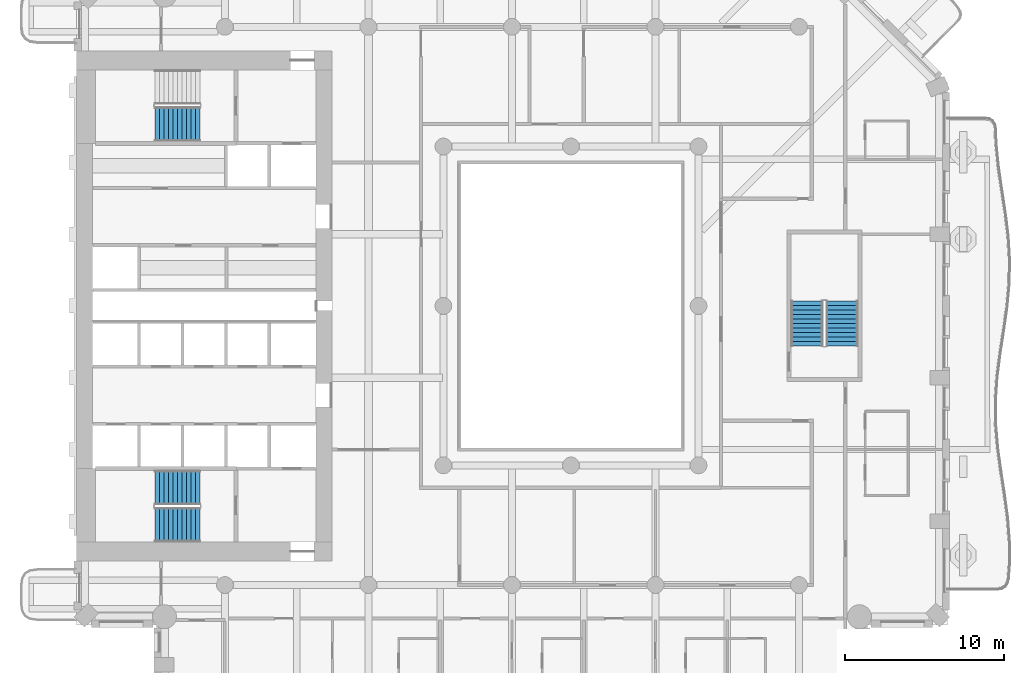
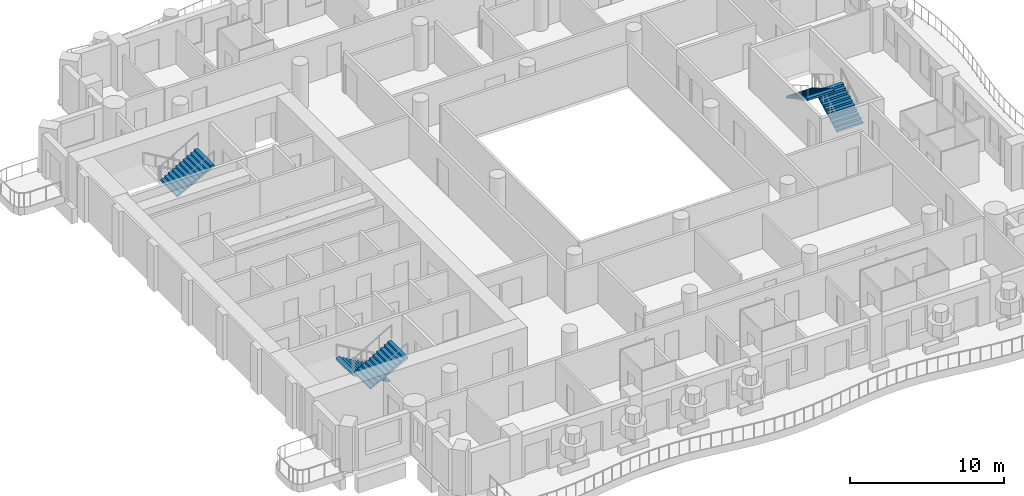
# One storey, part 10 of 19: 5 stair flights, 3 elements without a shape of their own.
"""IFC4 building model written with IfcOpenShell, lengths in metres."""

from ifc_helpers import new_model, si_unit, direction, frame, origin, place, context, subcontext, project, spatial, triangles, material, type_object, element, aggregate, save


model = new_model("IFC4")

# Units and contexts
model_context = context("Model", 3, precision=1e-05, world=origin(), true_north=direction((0.0, 1.0)))
body_context = subcontext(model_context, "Body", "Model", "MODEL_VIEW")
ifc_project = project(units=[si_unit("LENGTHUNIT", "METRE"), si_unit("AREAUNIT", "SQUARE_METRE"), si_unit("VOLUMEUNIT", "CUBIC_METRE"), si_unit("PLANEANGLEUNIT", "RADIAN"), si_unit("MASSUNIT", "GRAM", prefix="KILO")], contexts=[model_context])

# Site, building, storey
site_placement = place(None, origin())
site = spatial("IfcSite", under=ifc_project, at=site_placement, CompositionType="ELEMENT")
building_placement = place(site_placement, origin())
building = spatial("IfcBuilding", under=site, at=building_placement, Name="Cypress Arch Tower", CompositionType="ELEMENT")
storey_placement = place(building_placement, frame((0.0, 0.0, 138.300048828125)))
storey = spatial("IfcBuildingStorey", under=building, at=storey_placement, Name="L30", CompositionType="ELEMENT", Elevation=138.300048828125)

# Stair, stair flights
ifc_material_1 = material(Name="Concrete C40/50", Category="concrete")
stair_type_1 = type_object("IfcStairType", Name="Exit stair ES1636-200", PredefinedType="HALF_TURN_STAIR", material=ifc_material_1)
stair_1_placement = place(storey_placement, origin())
stair_1 = element("IfcStair", 1, at=stair_1_placement, inside=storey, type_object=stair_type_1, Name="L30 Exit stair C", PredefinedType="HALF_TURN_STAIR")
ifc_material_2 = material(Name="Concrete C40/50", Category="concrete")
stair_flight_type_1 = type_object("IfcStairFlightType", Name="Exit stair flight ES1636-200", PredefinedType="STRAIGHT", material=ifc_material_2)
stair_flight_1_placement = place(storey_placement, frame((18.0, -2.5, 0.0), z_axis=(0.0, 0.0, 1.0), x_axis=(0.0, 1.0, 0.0)))
stair_flight_1 = element("IfcStairFlight", 2, at=stair_flight_1_placement, type_object=stair_flight_type_1, Name="C flight 1", NumberOfRisers=11, NumberOfTreads=10, PredefinedType="STRAIGHT", RiserHeight=0.163636364, TreadLength=0.28, context=body_context, shape_type="Tessellation", body=[
    triangles([(0.0, -1.0, 0.0), (0.00048828125, -1.0, 0.054443359375), (0.00048828125, -1.0, 0.109130859375), (0.0, -1.0, 0.16357421875), (0.280029296875, -1.0, 0.16357421875), (0.280029296875, -1.0, 0.327392578125), (0.56005859375, -1.0, 0.327392578125), (0.56005859375, -1.0, 0.490966796875), (0.840087890625, -1.0, 0.490966796875), (0.840087890625, -1.0, 0.654541015625), (1.1201171875, -1.0, 0.654541015625), (1.1201171875, -1.0, 0.818115234375), (1.39990234375, -1.0, 0.818115234375), (1.39990234375, -1.0, 0.98193359375), (1.679931640625, -1.0, 0.98193359375), (1.679931640625, -1.0, 1.1455078125), (1.9599609375, -1.0, 1.1455078125), (1.9599609375, -1.0, 1.30908203125), (2.239990234375, -1.0, 1.30908203125), (2.239990234375, -1.0, 1.47265625), (2.52001953125, -1.0, 1.47265625), (2.52001953125, -1.0, 1.636474609375), (2.800048828125, -1.0, 1.636474609375), (2.799560546875, -1.0, 1.57861328125), (2.799560546875, -1.0, 1.5205078125), (2.800048828125, -1.0, 1.462646484375), (2.800048828125, 1.0, 1.462646484375), (2.799560546875, 1.0, 1.5205078125), (2.799560546875, 1.0, 1.57861328125), (2.800048828125, 1.0, 1.636474609375), (2.52001953125, 1.0, 1.636474609375), (2.52001953125, 1.0, 1.47265625), (2.239990234375, 1.0, 1.47265625), (2.239990234375, 1.0, 1.30908203125), (1.9599609375, 1.0, 1.30908203125), (1.9599609375, 1.0, 1.1455078125), (1.679931640625, 1.0, 1.1455078125), (1.679931640625, 1.0, 0.98193359375), (1.39990234375, 1.0, 0.98193359375), (1.39990234375, 1.0, 0.818115234375), (1.1201171875, 1.0, 0.818115234375), (1.1201171875, 1.0, 0.654541015625), (0.840087890625, 1.0, 0.654541015625), (0.840087890625, 1.0, 0.490966796875), (0.56005859375, 1.0, 0.490966796875), (0.56005859375, 1.0, 0.327392578125), (0.280029296875, 1.0, 0.327392578125), (0.280029296875, 1.0, 0.16357421875), (0.0, 1.0, 0.16357421875), (0.00048828125, 1.0, 0.109130859375), (0.00048828125, 1.0, 0.054443359375), (0.0, 1.0, 0.0), (2.799560546875, 0.0, 1.5205078125), (2.800048828125, 0.0, 1.462646484375), (2.799560546875, 0.0, 1.57861328125), (2.800048828125, 0.0, 1.636474609375), (2.52001953125, 0.0, 1.636474609375), (2.52001953125, 0.0, 1.47265625), (2.239990234375, 0.0, 1.47265625), (2.239990234375, 0.0, 1.30908203125), (1.9599609375, 0.0, 1.30908203125), (1.9599609375, 0.0, 1.1455078125), (1.679931640625, 0.0, 1.1455078125), (1.679931640625, 0.0, 0.98193359375), (1.39990234375, 0.0, 0.98193359375), (1.39990234375, 0.0, 0.818115234375), (1.1201171875, 0.0, 0.818115234375), (1.1201171875, 0.0, 0.654541015625), (0.840087890625, 0.0, 0.654541015625), (0.840087890625, 0.0, 0.490966796875), (0.56005859375, 0.0, 0.490966796875), (0.56005859375, 0.0, 0.327392578125), (0.280029296875, 0.0, 0.327392578125), (0.280029296875, 0.0, 0.16357421875), (0.0, 0.0, 0.16357421875), (0.00048828125, 0.0, 0.109130859375), (0.00048828125, 0.0, 0.054443359375), (0.0, 0.0, 0.0)], [[26, 25, 22], [25, 24, 22], [24, 23, 22], [15, 14, 13], [7, 6, 5], [13, 12, 11], [21, 20, 19], [19, 18, 17], [17, 16, 15], [11, 10, 9], [9, 8, 7], [4, 3, 5], [3, 2, 5], [2, 1, 5], [26, 22, 21], [26, 21, 19], [26, 19, 17], [26, 17, 15], [26, 15, 13], [26, 13, 11], [26, 11, 9], [26, 9, 7], [26, 7, 5], [26, 5, 1], [27, 31, 28], [28, 31, 29], [29, 31, 30], [38, 40, 39], [46, 48, 47], [40, 42, 41], [32, 34, 33], [34, 36, 35], [36, 38, 37], [42, 44, 43], [44, 46, 45], [49, 48, 50], [50, 48, 51], [51, 48, 52], [27, 32, 31], [27, 34, 32], [27, 36, 34], [27, 38, 36], [27, 40, 38], [27, 42, 40], [27, 44, 42], [27, 46, 44], [27, 48, 46], [27, 52, 48], [54, 53, 25], [54, 25, 26], [27, 28, 53], [27, 53, 54], [53, 55, 24], [53, 24, 25], [28, 29, 55], [28, 55, 53], [55, 56, 23], [55, 23, 24], [29, 30, 56], [29, 56, 55], [56, 57, 22], [56, 22, 23], [30, 31, 57], [30, 57, 56], [57, 58, 21], [57, 21, 22], [31, 32, 58], [31, 58, 57], [58, 59, 20], [58, 20, 21], [32, 33, 59], [32, 59, 58], [59, 60, 19], [59, 19, 20], [33, 34, 60], [33, 60, 59], [60, 61, 18], [60, 18, 19], [34, 35, 61], [34, 61, 60], [61, 62, 17], [61, 17, 18], [35, 36, 62], [35, 62, 61], [62, 63, 16], [62, 16, 17], [36, 37, 63], [36, 63, 62], [63, 64, 15], [63, 15, 16], [37, 38, 64], [37, 64, 63], [64, 65, 14], [64, 14, 15], [38, 39, 65], [38, 65, 64], [65, 66, 13], [65, 13, 14], [39, 40, 66], [39, 66, 65], [66, 67, 12], [66, 12, 13], [40, 41, 67], [40, 67, 66], [67, 68, 11], [67, 11, 12], [41, 42, 68], [41, 68, 67], [68, 69, 10], [68, 10, 11], [42, 43, 69], [42, 69, 68], [69, 70, 9], [69, 9, 10], [43, 44, 70], [43, 70, 69], [70, 71, 8], [70, 8, 9], [44, 45, 71], [44, 71, 70], [71, 72, 7], [71, 7, 8], [45, 46, 72], [45, 72, 71], [72, 73, 6], [72, 6, 7], [46, 47, 73], [46, 73, 72], [73, 74, 5], [73, 5, 6], [47, 48, 74], [47, 74, 73], [74, 75, 4], [74, 4, 5], [48, 49, 75], [48, 75, 74], [75, 76, 3], [75, 3, 4], [49, 50, 76], [49, 76, 75], [76, 77, 2], [76, 2, 3], [50, 51, 77], [50, 77, 76], [77, 78, 1], [77, 1, 2], [51, 52, 78], [51, 78, 77], [78, 54, 26], [78, 26, 1], [52, 27, 54], [52, 54, 78]], closed=True),
])
stair_flight_2_placement = place(storey_placement, frame((15.800048828125, 0.300048828125, 1.800048828125), z_axis=(0.0, 0.0, 1.0), x_axis=(0.0, -1.0, 0.0)))
stair_flight_2 = element("IfcStairFlight", 3, at=stair_flight_2_placement, type_object=stair_flight_type_1, Name="C flight 2", NumberOfRisers=11, NumberOfTreads=10, PredefinedType="STRAIGHT", RiserHeight=0.163636364, TreadLength=0.28, context=body_context, shape_type="Tessellation", body=[
    triangles([(0.0, -1.0, 0.0), (0.00048828125, -1.0, 0.054443359375), (0.00048828125, -1.0, 0.109130859375), (0.0, -1.0, 0.16357421875), (0.280029296875, -1.0, 0.16357421875), (0.280029296875, -1.0, 0.327392578125), (0.56005859375, -1.0, 0.327392578125), (0.56005859375, -1.0, 0.490966796875), (0.840087890625, -1.0, 0.490966796875), (0.840087890625, -1.0, 0.654541015625), (1.1201171875, -1.0, 0.654541015625), (1.1201171875, -1.0, 0.818115234375), (1.39990234375, -1.0, 0.818115234375), (1.39990234375, -1.0, 0.98193359375), (1.679931640625, -1.0, 0.98193359375), (1.679931640625, -1.0, 1.1455078125), (1.9599609375, -1.0, 1.1455078125), (1.9599609375, -1.0, 1.30908203125), (2.239990234375, -1.0, 1.30908203125), (2.239990234375, -1.0, 1.47265625), (2.52001953125, -1.0, 1.47265625), (2.52001953125, -1.0, 1.636474609375), (2.800048828125, -1.0, 1.636474609375), (2.799560546875, -1.0, 1.57861328125), (2.799560546875, -1.0, 1.5205078125), (2.800048828125, -1.0, 1.462646484375), (2.800048828125, 1.0, 1.462646484375), (2.799560546875, 1.0, 1.5205078125), (2.799560546875, 1.0, 1.57861328125), (2.800048828125, 1.0, 1.636474609375), (2.52001953125, 1.0, 1.636474609375), (2.52001953125, 1.0, 1.47265625), (2.239990234375, 1.0, 1.47265625), (2.239990234375, 1.0, 1.30908203125), (1.9599609375, 1.0, 1.30908203125), (1.9599609375, 1.0, 1.1455078125), (1.679931640625, 1.0, 1.1455078125), (1.679931640625, 1.0, 0.98193359375), (1.39990234375, 1.0, 0.98193359375), (1.39990234375, 1.0, 0.818115234375), (1.1201171875, 1.0, 0.818115234375), (1.1201171875, 1.0, 0.654541015625), (0.840087890625, 1.0, 0.654541015625), (0.840087890625, 1.0, 0.490966796875), (0.56005859375, 1.0, 0.490966796875), (0.56005859375, 1.0, 0.327392578125), (0.280029296875, 1.0, 0.327392578125), (0.280029296875, 1.0, 0.16357421875), (0.0, 1.0, 0.16357421875), (0.00048828125, 1.0, 0.109130859375), (0.00048828125, 1.0, 0.054443359375), (0.0, 1.0, 0.0), (2.799560546875, 0.0, 1.5205078125), (2.800048828125, 0.0, 1.462646484375), (2.799560546875, 0.0, 1.57861328125), (2.800048828125, 0.0, 1.636474609375), (2.52001953125, 0.0, 1.636474609375), (2.52001953125, 0.0, 1.47265625), (2.239990234375, 0.0, 1.47265625), (2.239990234375, 0.0, 1.30908203125), (1.9599609375, 0.0, 1.30908203125), (1.9599609375, 0.0, 1.1455078125), (1.679931640625, 0.0, 1.1455078125), (1.679931640625, 0.0, 0.98193359375), (1.39990234375, 0.0, 0.98193359375), (1.39990234375, 0.0, 0.818115234375), (1.1201171875, 0.0, 0.818115234375), (1.1201171875, 0.0, 0.654541015625), (0.840087890625, 0.0, 0.654541015625), (0.840087890625, 0.0, 0.490966796875), (0.56005859375, 0.0, 0.490966796875), (0.56005859375, 0.0, 0.327392578125), (0.280029296875, 0.0, 0.327392578125), (0.280029296875, 0.0, 0.16357421875), (0.0, 0.0, 0.16357421875), (0.00048828125, 0.0, 0.109130859375), (0.00048828125, 0.0, 0.054443359375), (0.0, 0.0, 0.0)], [[26, 25, 22], [25, 24, 22], [24, 23, 22], [15, 14, 13], [7, 6, 5], [13, 12, 11], [21, 20, 19], [19, 18, 17], [17, 16, 15], [11, 10, 9], [9, 8, 7], [4, 3, 5], [3, 2, 5], [2, 1, 5], [26, 22, 21], [26, 21, 19], [26, 19, 17], [26, 17, 15], [26, 15, 13], [26, 13, 11], [26, 11, 9], [26, 9, 7], [26, 7, 5], [26, 5, 1], [27, 31, 28], [28, 31, 29], [29, 31, 30], [38, 40, 39], [46, 48, 47], [40, 42, 41], [32, 34, 33], [34, 36, 35], [36, 38, 37], [42, 44, 43], [44, 46, 45], [49, 48, 50], [50, 48, 51], [51, 48, 52], [27, 32, 31], [27, 34, 32], [27, 36, 34], [27, 38, 36], [27, 40, 38], [27, 42, 40], [27, 44, 42], [27, 46, 44], [27, 48, 46], [27, 52, 48], [54, 53, 25], [54, 25, 26], [27, 28, 53], [27, 53, 54], [53, 55, 24], [53, 24, 25], [28, 29, 55], [28, 55, 53], [55, 56, 23], [55, 23, 24], [29, 30, 56], [29, 56, 55], [56, 57, 22], [56, 22, 23], [30, 31, 57], [30, 57, 56], [57, 58, 21], [57, 21, 22], [31, 32, 58], [31, 58, 57], [58, 59, 20], [58, 20, 21], [32, 33, 59], [32, 59, 58], [59, 60, 19], [59, 19, 20], [33, 34, 60], [33, 60, 59], [60, 61, 18], [60, 18, 19], [34, 35, 61], [34, 61, 60], [61, 62, 17], [61, 17, 18], [35, 36, 62], [35, 62, 61], [62, 63, 16], [62, 16, 17], [36, 37, 63], [36, 63, 62], [63, 64, 15], [63, 15, 16], [37, 38, 64], [37, 64, 63], [64, 65, 14], [64, 14, 15], [38, 39, 65], [38, 65, 64], [65, 66, 13], [65, 13, 14], [39, 40, 66], [39, 66, 65], [66, 67, 12], [66, 12, 13], [40, 41, 67], [40, 67, 66], [67, 68, 11], [67, 11, 12], [41, 42, 68], [41, 68, 67], [68, 69, 10], [68, 10, 11], [42, 43, 69], [42, 69, 68], [69, 70, 9], [69, 9, 10], [43, 44, 70], [43, 70, 69], [70, 71, 8], [70, 8, 9], [44, 45, 71], [44, 71, 70], [71, 72, 7], [71, 7, 8], [45, 46, 72], [45, 72, 71], [72, 73, 6], [72, 6, 7], [46, 47, 73], [46, 73, 72], [73, 74, 5], [73, 5, 6], [47, 48, 74], [47, 74, 73], [74, 75, 4], [74, 4, 5], [48, 49, 75], [48, 75, 74], [75, 76, 3], [75, 3, 4], [49, 50, 76], [49, 76, 75], [76, 77, 2], [76, 2, 3], [50, 51, 77], [50, 77, 76], [77, 78, 1], [77, 1, 2], [51, 52, 78], [51, 78, 77], [78, 54, 26], [78, 26, 1], [52, 27, 54], [52, 54, 78]], closed=True),
])
aggregate(stair_1, [stair_flight_1, stair_flight_2])

ifc_material_3 = material(Name="Concrete C40/50", Category="concrete")
stair_type_2 = type_object("IfcStairType", Name="Exit stair ES1636-215", PredefinedType="HALF_TURN_STAIR", material=ifc_material_3)
stair_2_placement = place(storey_placement, origin())
stair_2 = element("IfcStair", 4, at=stair_2_placement, inside=storey, type_object=stair_type_2, Name="L30 Exit stair A", PredefinedType="HALF_TURN_STAIR")
ifc_material_4 = material(Name="Concrete C40/50", Category="concrete")
stair_flight_type_2 = type_object("IfcStairFlightType", Name="Exit stair flight ES1636-215", PredefinedType="STRAIGHT", material=ifc_material_4)
stair_flight_3_placement = place(storey_placement, frame((-22.27490234375, -11.39990234375, 0.0), z_axis=(0.0, 0.0, 1.0), x_axis=(-1.0, 0.0, 0.0)))
stair_flight_3 = element("IfcStairFlight", 5, at=stair_flight_3_placement, type_object=stair_flight_type_2, Name="A flight 1", NumberOfRisers=11, NumberOfTreads=10, PredefinedType="STRAIGHT", RiserHeight=0.163636364, TreadLength=0.28, context=body_context, shape_type="Tessellation", body=[
    triangles([(0.0, -1.074951171875, 0.0), (0.000244140625, -1.074951171875, 0.03271484375), (0.00048828125, -1.074951171875, 0.0654296875), (0.00048828125, -1.074951171875, 0.09814453125), (0.000244140625, -1.074951171875, 0.130859375), (0.0, -1.074951171875, 0.16357421875), (0.280029296875, -1.074951171875, 0.16357421875), (0.280029296875, -1.074951171875, 0.327392578125), (0.56005859375, -1.074951171875, 0.327392578125), (0.56005859375, -1.074951171875, 0.490966796875), (0.840087890625, -1.074951171875, 0.490966796875), (0.840087890625, -1.074951171875, 0.654541015625), (1.1201171875, -1.074951171875, 0.654541015625), (1.1201171875, -1.074951171875, 0.818115234375), (1.39990234375, -1.074951171875, 0.818115234375), (1.39990234375, -1.074951171875, 0.98193359375), (1.679931640625, -1.074951171875, 0.98193359375), (1.679931640625, -1.074951171875, 1.1455078125), (1.9599609375, -1.074951171875, 1.1455078125), (1.9599609375, -1.074951171875, 1.30908203125), (2.239990234375, -1.074951171875, 1.30908203125), (2.239990234375, -1.074951171875, 1.47265625), (2.52001953125, -1.074951171875, 1.47265625), (2.52001953125, -1.074951171875, 1.636474609375), (2.800048828125, -1.074951171875, 1.636474609375), (2.7998046875, -1.074951171875, 1.601806640625), (2.799560546875, -1.074951171875, 1.56689453125), (2.799560546875, -1.074951171875, 1.5322265625), (2.7998046875, -1.074951171875, 1.497314453125), (2.800048828125, -1.074951171875, 1.462646484375), (2.800048828125, 1.074951171875, 1.462646484375), (2.7998046875, 1.074951171875, 1.497314453125), (2.799560546875, 1.074951171875, 1.5322265625), (2.799560546875, 1.074951171875, 1.56689453125), (2.7998046875, 1.074951171875, 1.601806640625), (2.800048828125, 1.074951171875, 1.636474609375), (2.52001953125, 1.074951171875, 1.636474609375), (2.52001953125, 1.074951171875, 1.47265625), (2.239990234375, 1.074951171875, 1.47265625), (2.239990234375, 1.074951171875, 1.30908203125), (1.9599609375, 1.074951171875, 1.30908203125), (1.9599609375, 1.074951171875, 1.1455078125), (1.679931640625, 1.074951171875, 1.1455078125), (1.679931640625, 1.074951171875, 0.98193359375), (1.39990234375, 1.074951171875, 0.98193359375), (1.39990234375, 1.074951171875, 0.818115234375), (1.1201171875, 1.074951171875, 0.818115234375), (1.1201171875, 1.074951171875, 0.654541015625), (0.840087890625, 1.074951171875, 0.654541015625), (0.840087890625, 1.074951171875, 0.490966796875), (0.56005859375, 1.074951171875, 0.490966796875), (0.56005859375, 1.074951171875, 0.327392578125), (0.280029296875, 1.074951171875, 0.327392578125), (0.280029296875, 1.074951171875, 0.16357421875), (0.0, 1.074951171875, 0.16357421875), (0.000244140625, 1.074951171875, 0.130859375), (0.00048828125, 1.074951171875, 0.09814453125), (0.00048828125, 1.074951171875, 0.0654296875), (0.000244140625, 1.074951171875, 0.03271484375), (0.0, 1.074951171875, 0.0), (2.7998046875, 0.0, 1.497314453125), (2.800048828125, 0.0, 1.462646484375), (2.799560546875, 0.0, 1.5322265625), (2.799560546875, 0.0, 1.56689453125), (2.7998046875, 0.0, 1.601806640625), (2.800048828125, 0.0, 1.636474609375), (2.52001953125, 0.0, 1.636474609375), (2.52001953125, 0.0, 1.47265625), (2.239990234375, 0.0, 1.47265625), (2.239990234375, 0.0, 1.30908203125), (1.9599609375, 0.0, 1.30908203125), (1.9599609375, 0.0, 1.1455078125), (1.679931640625, 0.0, 1.1455078125), (1.679931640625, 0.0, 0.98193359375), (1.39990234375, 0.0, 0.98193359375), (1.39990234375, 0.0, 0.818115234375), (1.1201171875, 0.0, 0.818115234375), (1.1201171875, 0.0, 0.654541015625), (0.840087890625, 0.0, 0.654541015625), (0.840087890625, 0.0, 0.490966796875), (0.56005859375, 0.0, 0.490966796875), (0.56005859375, 0.0, 0.327392578125), (0.280029296875, 0.0, 0.327392578125), (0.280029296875, 0.0, 0.16357421875), (0.0, 0.0, 0.16357421875), (0.000244140625, 0.0, 0.130859375), (0.00048828125, 0.0, 0.09814453125), (0.00048828125, 0.0, 0.0654296875), (0.000244140625, 0.0, 0.03271484375), (0.0, 0.0, 0.0)], [[30, 29, 24], [29, 28, 24], [28, 27, 24], [27, 26, 24], [26, 25, 24], [17, 16, 15], [9, 8, 7], [15, 14, 13], [23, 22, 21], [21, 20, 19], [19, 18, 17], [13, 12, 11], [11, 10, 9], [6, 5, 7], [5, 4, 7], [4, 3, 7], [3, 2, 7], [2, 1, 7], [30, 24, 23], [30, 23, 21], [30, 21, 19], [30, 19, 17], [30, 17, 15], [30, 15, 13], [30, 13, 11], [30, 11, 9], [30, 9, 7], [30, 7, 1], [31, 37, 32], [32, 37, 33], [33, 37, 34], [34, 37, 35], [35, 37, 36], [44, 46, 45], [52, 54, 53], [46, 48, 47], [38, 40, 39], [40, 42, 41], [42, 44, 43], [48, 50, 49], [50, 52, 51], [55, 54, 56], [56, 54, 57], [57, 54, 58], [58, 54, 59], [59, 54, 60], [31, 38, 37], [31, 40, 38], [31, 42, 40], [31, 44, 42], [31, 46, 44], [31, 48, 46], [31, 50, 48], [31, 52, 50], [31, 54, 52], [31, 60, 54], [62, 61, 29], [62, 29, 30], [31, 32, 61], [31, 61, 62], [61, 63, 28], [61, 28, 29], [32, 33, 63], [32, 63, 61], [63, 64, 27], [63, 27, 28], [33, 34, 64], [33, 64, 63], [64, 65, 26], [64, 26, 27], [34, 35, 65], [34, 65, 64], [65, 66, 25], [65, 25, 26], [35, 36, 66], [35, 66, 65], [66, 67, 24], [66, 24, 25], [36, 37, 67], [36, 67, 66], [67, 68, 23], [67, 23, 24], [37, 38, 68], [37, 68, 67], [68, 69, 22], [68, 22, 23], [38, 39, 69], [38, 69, 68], [69, 70, 21], [69, 21, 22], [39, 40, 70], [39, 70, 69], [70, 71, 20], [70, 20, 21], [40, 41, 71], [40, 71, 70], [71, 72, 19], [71, 19, 20], [41, 42, 72], [41, 72, 71], [72, 73, 18], [72, 18, 19], [42, 43, 73], [42, 73, 72], [73, 74, 17], [73, 17, 18], [43, 44, 74], [43, 74, 73], [74, 75, 16], [74, 16, 17], [44, 45, 75], [44, 75, 74], [75, 76, 15], [75, 15, 16], [45, 46, 76], [45, 76, 75], [76, 77, 14], [76, 14, 15], [46, 47, 77], [46, 77, 76], [77, 78, 13], [77, 13, 14], [47, 48, 78], [47, 78, 77], [78, 79, 12], [78, 12, 13], [48, 49, 79], [48, 79, 78], [79, 80, 11], [79, 11, 12], [49, 50, 80], [49, 80, 79], [80, 81, 10], [80, 10, 11], [50, 51, 81], [50, 81, 80], [81, 82, 9], [81, 9, 10], [51, 52, 82], [51, 82, 81], [82, 83, 8], [82, 8, 9], [52, 53, 83], [52, 83, 82], [83, 84, 7], [83, 7, 8], [53, 54, 84], [53, 84, 83], [84, 85, 6], [84, 6, 7], [54, 55, 85], [54, 85, 84], [85, 86, 5], [85, 5, 6], [55, 56, 86], [55, 86, 85], [86, 87, 4], [86, 4, 5], [56, 57, 87], [56, 87, 86], [87, 88, 3], [87, 3, 4], [57, 58, 88], [57, 88, 87], [88, 89, 2], [88, 2, 3], [58, 59, 89], [58, 89, 88], [89, 90, 1], [89, 1, 2], [59, 60, 90], [59, 90, 89], [90, 62, 30], [90, 30, 1], [60, 31, 62], [60, 62, 90]], closed=True),
])
stair_flight_4_placement = place(storey_placement, frame((-25.074951171875, -13.72509765625, 1.800048828125), z_axis=(0.0, 0.0, 1.0), x_axis=(1.0, 0.0, 0.0)))
stair_flight_4 = element("IfcStairFlight", 6, at=stair_flight_4_placement, type_object=stair_flight_type_2, Name="A flight 2", NumberOfRisers=11, NumberOfTreads=10, PredefinedType="STRAIGHT", RiserHeight=0.163636364, TreadLength=0.28, context=body_context, shape_type="Tessellation", body=[
    triangles([(0.0, -1.074951171875, 0.0), (0.000244140625, -1.074951171875, 0.03271484375), (0.00048828125, -1.074951171875, 0.0654296875), (0.00048828125, -1.074951171875, 0.09814453125), (0.000244140625, -1.074951171875, 0.130859375), (0.0, -1.074951171875, 0.16357421875), (0.280029296875, -1.074951171875, 0.16357421875), (0.280029296875, -1.074951171875, 0.327392578125), (0.56005859375, -1.074951171875, 0.327392578125), (0.56005859375, -1.074951171875, 0.490966796875), (0.840087890625, -1.074951171875, 0.490966796875), (0.840087890625, -1.074951171875, 0.654541015625), (1.1201171875, -1.074951171875, 0.654541015625), (1.1201171875, -1.074951171875, 0.818115234375), (1.39990234375, -1.074951171875, 0.818115234375), (1.39990234375, -1.074951171875, 0.98193359375), (1.679931640625, -1.074951171875, 0.98193359375), (1.679931640625, -1.074951171875, 1.1455078125), (1.9599609375, -1.074951171875, 1.1455078125), (1.9599609375, -1.074951171875, 1.30908203125), (2.239990234375, -1.074951171875, 1.30908203125), (2.239990234375, -1.074951171875, 1.47265625), (2.52001953125, -1.074951171875, 1.47265625), (2.52001953125, -1.074951171875, 1.636474609375), (2.800048828125, -1.074951171875, 1.636474609375), (2.7998046875, -1.074951171875, 1.601806640625), (2.799560546875, -1.074951171875, 1.56689453125), (2.799560546875, -1.074951171875, 1.5322265625), (2.7998046875, -1.074951171875, 1.497314453125), (2.800048828125, -1.074951171875, 1.462646484375), (2.800048828125, 1.074951171875, 1.462646484375), (2.7998046875, 1.074951171875, 1.497314453125), (2.799560546875, 1.074951171875, 1.5322265625), (2.799560546875, 1.074951171875, 1.56689453125), (2.7998046875, 1.074951171875, 1.601806640625), (2.800048828125, 1.074951171875, 1.636474609375), (2.52001953125, 1.074951171875, 1.636474609375), (2.52001953125, 1.074951171875, 1.47265625), (2.239990234375, 1.074951171875, 1.47265625), (2.239990234375, 1.074951171875, 1.30908203125), (1.9599609375, 1.074951171875, 1.30908203125), (1.9599609375, 1.074951171875, 1.1455078125), (1.679931640625, 1.074951171875, 1.1455078125), (1.679931640625, 1.074951171875, 0.98193359375), (1.39990234375, 1.074951171875, 0.98193359375), (1.39990234375, 1.074951171875, 0.818115234375), (1.1201171875, 1.074951171875, 0.818115234375), (1.1201171875, 1.074951171875, 0.654541015625), (0.840087890625, 1.074951171875, 0.654541015625), (0.840087890625, 1.074951171875, 0.490966796875), (0.56005859375, 1.074951171875, 0.490966796875), (0.56005859375, 1.074951171875, 0.327392578125), (0.280029296875, 1.074951171875, 0.327392578125), (0.280029296875, 1.074951171875, 0.16357421875), (0.0, 1.074951171875, 0.16357421875), (0.000244140625, 1.074951171875, 0.130859375), (0.00048828125, 1.074951171875, 0.09814453125), (0.00048828125, 1.074951171875, 0.0654296875), (0.000244140625, 1.074951171875, 0.03271484375), (0.0, 1.074951171875, 0.0), (2.7998046875, 0.0, 1.497314453125), (2.800048828125, 0.0, 1.462646484375), (2.799560546875, 0.0, 1.5322265625), (2.799560546875, 0.0, 1.56689453125), (2.7998046875, 0.0, 1.601806640625), (2.800048828125, 0.0, 1.636474609375), (2.52001953125, 0.0, 1.636474609375), (2.52001953125, 0.0, 1.47265625), (2.239990234375, 0.0, 1.47265625), (2.239990234375, 0.0, 1.30908203125), (1.9599609375, 0.0, 1.30908203125), (1.9599609375, 0.0, 1.1455078125), (1.679931640625, 0.0, 1.1455078125), (1.679931640625, 0.0, 0.98193359375), (1.39990234375, 0.0, 0.98193359375), (1.39990234375, 0.0, 0.818115234375), (1.1201171875, 0.0, 0.818115234375), (1.1201171875, 0.0, 0.654541015625), (0.840087890625, 0.0, 0.654541015625), (0.840087890625, 0.0, 0.490966796875), (0.56005859375, 0.0, 0.490966796875), (0.56005859375, 0.0, 0.327392578125), (0.280029296875, 0.0, 0.327392578125), (0.280029296875, 0.0, 0.16357421875), (0.0, 0.0, 0.16357421875), (0.000244140625, 0.0, 0.130859375), (0.00048828125, 0.0, 0.09814453125), (0.00048828125, 0.0, 0.0654296875), (0.000244140625, 0.0, 0.03271484375), (0.0, 0.0, 0.0)], [[30, 29, 24], [29, 28, 24], [28, 27, 24], [27, 26, 24], [26, 25, 24], [17, 16, 15], [9, 8, 7], [15, 14, 13], [23, 22, 21], [21, 20, 19], [19, 18, 17], [13, 12, 11], [11, 10, 9], [6, 5, 7], [5, 4, 7], [4, 3, 7], [3, 2, 7], [2, 1, 7], [30, 24, 23], [30, 23, 21], [30, 21, 19], [30, 19, 17], [30, 17, 15], [30, 15, 13], [30, 13, 11], [30, 11, 9], [30, 9, 7], [30, 7, 1], [31, 37, 32], [32, 37, 33], [33, 37, 34], [34, 37, 35], [35, 37, 36], [44, 46, 45], [52, 54, 53], [46, 48, 47], [38, 40, 39], [40, 42, 41], [42, 44, 43], [48, 50, 49], [50, 52, 51], [55, 54, 56], [56, 54, 57], [57, 54, 58], [58, 54, 59], [59, 54, 60], [31, 38, 37], [31, 40, 38], [31, 42, 40], [31, 44, 42], [31, 46, 44], [31, 48, 46], [31, 50, 48], [31, 52, 50], [31, 54, 52], [31, 60, 54], [62, 61, 29], [62, 29, 30], [31, 32, 61], [31, 61, 62], [61, 63, 28], [61, 28, 29], [32, 33, 63], [32, 63, 61], [63, 64, 27], [63, 27, 28], [33, 34, 64], [33, 64, 63], [64, 65, 26], [64, 26, 27], [34, 35, 65], [34, 65, 64], [65, 66, 25], [65, 25, 26], [35, 36, 66], [35, 66, 65], [66, 67, 24], [66, 24, 25], [36, 37, 67], [36, 67, 66], [67, 68, 23], [67, 23, 24], [37, 38, 68], [37, 68, 67], [68, 69, 22], [68, 22, 23], [38, 39, 69], [38, 69, 68], [69, 70, 21], [69, 21, 22], [39, 40, 70], [39, 70, 69], [70, 71, 20], [70, 20, 21], [40, 41, 71], [40, 71, 70], [71, 72, 19], [71, 19, 20], [41, 42, 72], [41, 72, 71], [72, 73, 18], [72, 18, 19], [42, 43, 73], [42, 73, 72], [73, 74, 17], [73, 17, 18], [43, 44, 74], [43, 74, 73], [74, 75, 16], [74, 16, 17], [44, 45, 75], [44, 75, 74], [75, 76, 15], [75, 15, 16], [45, 46, 76], [45, 76, 75], [76, 77, 14], [76, 14, 15], [46, 47, 77], [46, 77, 76], [77, 78, 13], [77, 13, 14], [47, 48, 78], [47, 78, 77], [78, 79, 12], [78, 12, 13], [48, 49, 79], [48, 79, 78], [79, 80, 11], [79, 11, 12], [49, 50, 80], [49, 80, 79], [80, 81, 10], [80, 10, 11], [50, 51, 81], [50, 81, 80], [81, 82, 9], [81, 9, 10], [51, 52, 82], [51, 82, 81], [82, 83, 8], [82, 8, 9], [52, 53, 83], [52, 83, 82], [83, 84, 7], [83, 7, 8], [53, 54, 84], [53, 84, 83], [84, 85, 6], [84, 6, 7], [54, 55, 85], [54, 85, 84], [85, 86, 5], [85, 5, 6], [55, 56, 86], [55, 86, 85], [86, 87, 4], [86, 4, 5], [56, 57, 87], [56, 87, 86], [87, 88, 3], [87, 3, 4], [57, 58, 88], [57, 88, 87], [88, 89, 2], [88, 2, 3], [58, 59, 89], [58, 89, 88], [89, 90, 1], [89, 1, 2], [59, 60, 90], [59, 90, 89], [90, 62, 30], [90, 30, 1], [60, 31, 62], [60, 62, 90]], closed=True),
])
aggregate(stair_2, [stair_flight_3, stair_flight_4])

# Stair, stair flight
stair_3_placement = place(storey_placement, origin())
stair_3 = element("IfcStair", 7, at=stair_3_placement, inside=storey, type_object=stair_type_2, Name="L30 Exit stair B", PredefinedType="HALF_TURN_STAIR")
stair_flight_5_placement = place(storey_placement, frame((-25.074951171875, 11.39990234375, 1.800048828125), z_axis=(0.0, 0.0, 1.0), x_axis=(1.0, 0.0, 0.0)))
stair_flight_5 = element("IfcStairFlight", 8, at=stair_flight_5_placement, type_object=stair_flight_type_2, Name="B flight 2", NumberOfRisers=11, NumberOfTreads=10, PredefinedType="STRAIGHT", RiserHeight=0.163636364, TreadLength=0.28, context=body_context, shape_type="Tessellation", body=[
    triangles([(0.0, -1.074951171875, 0.0), (0.000244140625, -1.074951171875, 0.03271484375), (0.00048828125, -1.074951171875, 0.0654296875), (0.00048828125, -1.074951171875, 0.09814453125), (0.000244140625, -1.074951171875, 0.130859375), (0.0, -1.074951171875, 0.16357421875), (0.280029296875, -1.074951171875, 0.16357421875), (0.280029296875, -1.074951171875, 0.327392578125), (0.56005859375, -1.074951171875, 0.327392578125), (0.56005859375, -1.074951171875, 0.490966796875), (0.840087890625, -1.074951171875, 0.490966796875), (0.840087890625, -1.074951171875, 0.654541015625), (1.1201171875, -1.074951171875, 0.654541015625), (1.1201171875, -1.074951171875, 0.818115234375), (1.39990234375, -1.074951171875, 0.818115234375), (1.39990234375, -1.074951171875, 0.98193359375), (1.679931640625, -1.074951171875, 0.98193359375), (1.679931640625, -1.074951171875, 1.1455078125), (1.9599609375, -1.074951171875, 1.1455078125), (1.9599609375, -1.074951171875, 1.30908203125), (2.239990234375, -1.074951171875, 1.30908203125), (2.239990234375, -1.074951171875, 1.47265625), (2.52001953125, -1.074951171875, 1.47265625), (2.52001953125, -1.074951171875, 1.636474609375), (2.800048828125, -1.074951171875, 1.636474609375), (2.7998046875, -1.074951171875, 1.601806640625), (2.799560546875, -1.074951171875, 1.56689453125), (2.799560546875, -1.074951171875, 1.5322265625), (2.7998046875, -1.074951171875, 1.497314453125), (2.800048828125, -1.074951171875, 1.462646484375), (2.800048828125, 1.074951171875, 1.462646484375), (2.7998046875, 1.074951171875, 1.497314453125), (2.799560546875, 1.074951171875, 1.5322265625), (2.799560546875, 1.074951171875, 1.56689453125), (2.7998046875, 1.074951171875, 1.601806640625), (2.800048828125, 1.074951171875, 1.636474609375), (2.52001953125, 1.074951171875, 1.636474609375), (2.52001953125, 1.074951171875, 1.47265625), (2.239990234375, 1.074951171875, 1.47265625), (2.239990234375, 1.074951171875, 1.30908203125), (1.9599609375, 1.074951171875, 1.30908203125), (1.9599609375, 1.074951171875, 1.1455078125), (1.679931640625, 1.074951171875, 1.1455078125), (1.679931640625, 1.074951171875, 0.98193359375), (1.39990234375, 1.074951171875, 0.98193359375), (1.39990234375, 1.074951171875, 0.818115234375), (1.1201171875, 1.074951171875, 0.818115234375), (1.1201171875, 1.074951171875, 0.654541015625), (0.840087890625, 1.074951171875, 0.654541015625), (0.840087890625, 1.074951171875, 0.490966796875), (0.56005859375, 1.074951171875, 0.490966796875), (0.56005859375, 1.074951171875, 0.327392578125), (0.280029296875, 1.074951171875, 0.327392578125), (0.280029296875, 1.074951171875, 0.16357421875), (0.0, 1.074951171875, 0.16357421875), (0.000244140625, 1.074951171875, 0.130859375), (0.00048828125, 1.074951171875, 0.09814453125), (0.00048828125, 1.074951171875, 0.0654296875), (0.000244140625, 1.074951171875, 0.03271484375), (0.0, 1.074951171875, 0.0), (2.7998046875, 0.0, 1.497314453125), (2.800048828125, 0.0, 1.462646484375), (2.799560546875, 0.0, 1.5322265625), (2.799560546875, 0.0, 1.56689453125), (2.7998046875, 0.0, 1.601806640625), (2.800048828125, 0.0, 1.636474609375), (2.52001953125, 0.0, 1.636474609375), (2.52001953125, 0.0, 1.47265625), (2.239990234375, 0.0, 1.47265625), (2.239990234375, 0.0, 1.30908203125), (1.9599609375, 0.0, 1.30908203125), (1.9599609375, 0.0, 1.1455078125), (1.679931640625, 0.0, 1.1455078125), (1.679931640625, 0.0, 0.98193359375), (1.39990234375, 0.0, 0.98193359375), (1.39990234375, 0.0, 0.818115234375), (1.1201171875, 0.0, 0.818115234375), (1.1201171875, 0.0, 0.654541015625), (0.840087890625, 0.0, 0.654541015625), (0.840087890625, 0.0, 0.490966796875), (0.56005859375, 0.0, 0.490966796875), (0.56005859375, 0.0, 0.327392578125), (0.280029296875, 0.0, 0.327392578125), (0.280029296875, 0.0, 0.16357421875), (0.0, 0.0, 0.16357421875), (0.000244140625, 0.0, 0.130859375), (0.00048828125, 0.0, 0.09814453125), (0.00048828125, 0.0, 0.0654296875), (0.000244140625, 0.0, 0.03271484375), (0.0, 0.0, 0.0)], [[30, 29, 24], [29, 28, 24], [28, 27, 24], [27, 26, 24], [26, 25, 24], [17, 16, 15], [9, 8, 7], [15, 14, 13], [23, 22, 21], [21, 20, 19], [19, 18, 17], [13, 12, 11], [11, 10, 9], [6, 5, 7], [5, 4, 7], [4, 3, 7], [3, 2, 7], [2, 1, 7], [30, 24, 23], [30, 23, 21], [30, 21, 19], [30, 19, 17], [30, 17, 15], [30, 15, 13], [30, 13, 11], [30, 11, 9], [30, 9, 7], [30, 7, 1], [31, 37, 32], [32, 37, 33], [33, 37, 34], [34, 37, 35], [35, 37, 36], [44, 46, 45], [52, 54, 53], [46, 48, 47], [38, 40, 39], [40, 42, 41], [42, 44, 43], [48, 50, 49], [50, 52, 51], [55, 54, 56], [56, 54, 57], [57, 54, 58], [58, 54, 59], [59, 54, 60], [31, 38, 37], [31, 40, 38], [31, 42, 40], [31, 44, 42], [31, 46, 44], [31, 48, 46], [31, 50, 48], [31, 52, 50], [31, 54, 52], [31, 60, 54], [62, 61, 29], [62, 29, 30], [31, 32, 61], [31, 61, 62], [61, 63, 28], [61, 28, 29], [32, 33, 63], [32, 63, 61], [63, 64, 27], [63, 27, 28], [33, 34, 64], [33, 64, 63], [64, 65, 26], [64, 26, 27], [34, 35, 65], [34, 65, 64], [65, 66, 25], [65, 25, 26], [35, 36, 66], [35, 66, 65], [66, 67, 24], [66, 24, 25], [36, 37, 67], [36, 67, 66], [67, 68, 23], [67, 23, 24], [37, 38, 68], [37, 68, 67], [68, 69, 22], [68, 22, 23], [38, 39, 69], [38, 69, 68], [69, 70, 21], [69, 21, 22], [39, 40, 70], [39, 70, 69], [70, 71, 20], [70, 20, 21], [40, 41, 71], [40, 71, 70], [71, 72, 19], [71, 19, 20], [41, 42, 72], [41, 72, 71], [72, 73, 18], [72, 18, 19], [42, 43, 73], [42, 73, 72], [73, 74, 17], [73, 17, 18], [43, 44, 74], [43, 74, 73], [74, 75, 16], [74, 16, 17], [44, 45, 75], [44, 75, 74], [75, 76, 15], [75, 15, 16], [45, 46, 76], [45, 76, 75], [76, 77, 14], [76, 14, 15], [46, 47, 77], [46, 77, 76], [77, 78, 13], [77, 13, 14], [47, 48, 78], [47, 78, 77], [78, 79, 12], [78, 12, 13], [48, 49, 79], [48, 79, 78], [79, 80, 11], [79, 11, 12], [49, 50, 80], [49, 80, 79], [80, 81, 10], [80, 10, 11], [50, 51, 81], [50, 81, 80], [81, 82, 9], [81, 9, 10], [51, 52, 82], [51, 82, 81], [82, 83, 8], [82, 8, 9], [52, 53, 83], [52, 83, 82], [83, 84, 7], [83, 7, 8], [53, 54, 84], [53, 84, 83], [84, 85, 6], [84, 6, 7], [54, 55, 85], [54, 85, 84], [85, 86, 5], [85, 5, 6], [55, 56, 86], [55, 86, 85], [86, 87, 4], [86, 4, 5], [56, 57, 87], [56, 87, 86], [87, 88, 3], [87, 3, 4], [57, 58, 88], [57, 88, 87], [88, 89, 2], [88, 2, 3], [58, 59, 89], [58, 89, 88], [89, 90, 1], [89, 1, 2], [59, 60, 90], [59, 90, 89], [90, 62, 30], [90, 30, 1], [60, 31, 62], [60, 62, 90]], closed=True),
])
aggregate(stair_3, [stair_flight_5])

save(model, "model.ifc")
